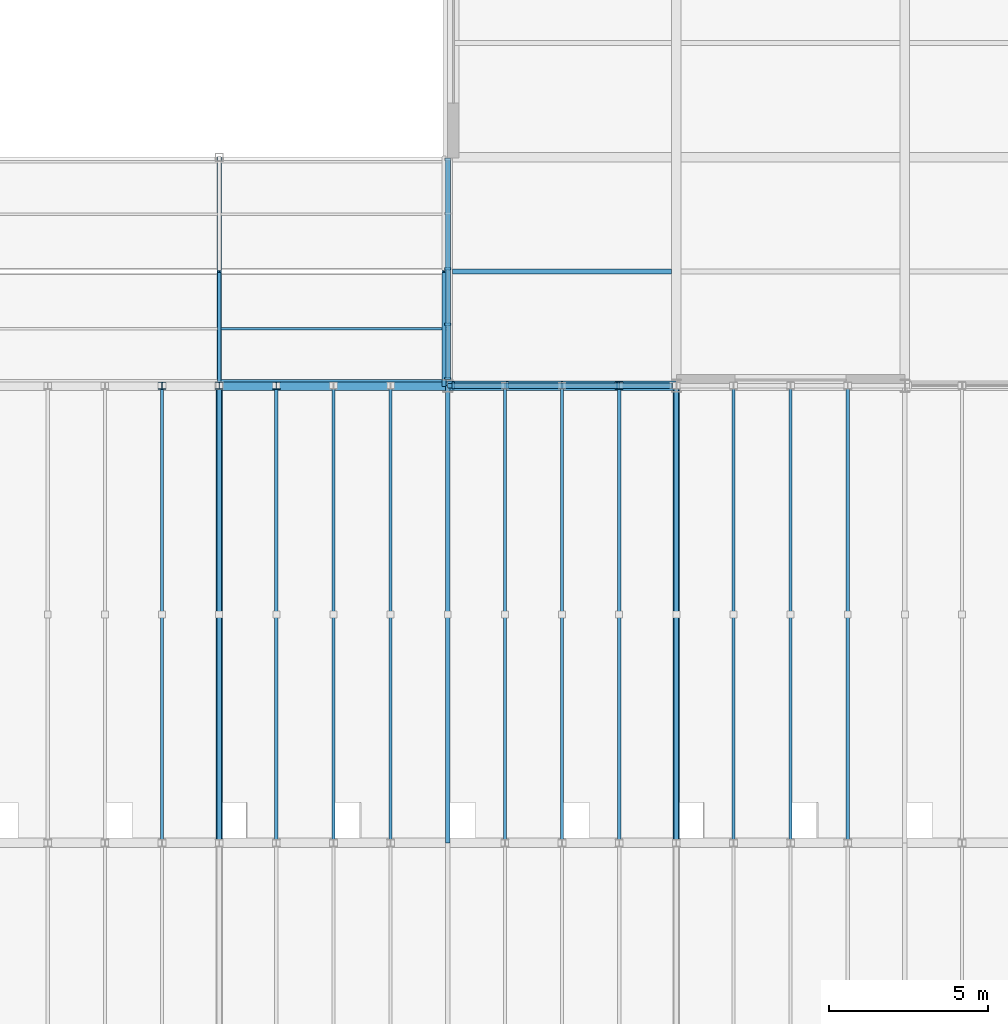
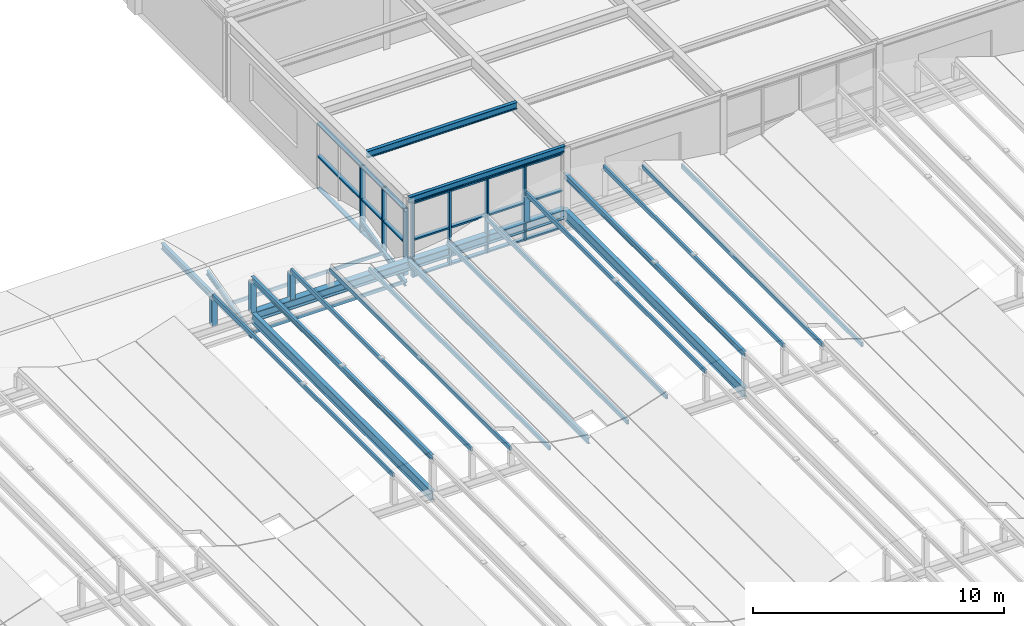
# One storey, part 33 of 83: 34 members, 6 beams, 2 elements without a shape of their own.
"""IFC4 building model written with IfcOpenShell, lengths in metres."""

import ifcopenshell
import ifcopenshell.guid

model = None  # the IFC model being written
_history = None  # IfcOwnerHistory: only IFC2X3 demands one
_inside = {}  # id of a spatial element -> (the spatial element, [elements in it])
_under = {}  # id of a project, library or spatial element -> (it, [spatial elements below it])
_declared = {}  # id of a project -> (the project, [libraries it declares])
_typed = {}  # id of a type object -> (the type object, [elements of that type])
_made_of = {}  # id of a material, layer set ... -> (it, [elements and type objects made of it])


def new_model(schema):
    """Start an empty IFC model of exactly this schema.

    Asked for "IFC4X3", IfcOpenShell would pick the latest addendum, in which some entities
    have other attributes; the version numbers below select the first issue.
    IFC2X3 requires an IfcOwnerHistory on every rooted entity: one is made here for all.
    """
    global model, _history
    if schema == "IFC4X3":
        model = ifcopenshell.file(schema_version=(4, 3, 0, 0))
    else:
        model = ifcopenshell.file(schema=schema)
    _inside.clear()
    _under.clear()
    _declared.clear()
    _typed.clear()
    _made_of.clear()
    _history = None
    if model.schema == "IFC2X3":
        org = make("IfcOrganization", Name="unknown")
        user = make(
            "IfcPersonAndOrganization",
            ThePerson=make("IfcPerson", FamilyName="unknown"),
            TheOrganization=org,
        )
        app = make(
            "IfcApplication",
            ApplicationDeveloper=org,
            Version="unknown",
            ApplicationFullName="unknown",
            ApplicationIdentifier="unknown",
        )
        _history = make(
            "IfcOwnerHistory",
            OwningUser=user,
            OwningApplication=app,
            ChangeAction="ADDED",
            CreationDate=0,
        )
    return model


def make(cls, **values):
    """One entity of the class cls with the attributes given. An attribute that is None is left unset."""
    return model.create_entity(
        cls, **{name: value for name, value in values.items() if value is not None}
    )


def rooted(cls, **values):
    """An entity with a GlobalId (a new one), such as an element, a storey or a relation."""
    return make(cls, GlobalId=ifcopenshell.guid.new(), OwnerHistory=_history, **values)


def si_unit(unit_type, name, prefix=None):
    """IfcSIUnit, for example si_unit("LENGTHUNIT", "METRE", prefix="MILLI")."""
    return make("IfcSIUnit", UnitType=unit_type, Prefix=prefix, Name=name)


def assignment(units):
    """IfcUnitAssignment: the units of a project."""
    return None if units is None else make("IfcUnitAssignment", Units=units)


def point(xyz):
    """IfcCartesianPoint."""
    return None if xyz is None else make("IfcCartesianPoint", Coordinates=xyz)


def direction(xyz):
    """IfcDirection."""
    return None if xyz is None else make("IfcDirection", DirectionRatios=xyz)


def frame(location, z_axis=None, x_axis=None):
    """IfcAxis2Placement3D, a coordinate frame: its origin and axes. An axis left out is left unset."""
    return make(
        "IfcAxis2Placement3D",
        Location=point(location),
        Axis=direction(z_axis),
        RefDirection=direction(x_axis),
    )


def frame_2d(location, x_axis=None):
    """IfcAxis2Placement2D, a coordinate frame in the plane: its origin and x axis."""
    return make(
        "IfcAxis2Placement2D", Location=point(location), RefDirection=direction(x_axis)
    )


def origin():
    """The frame at (0, 0, 0) with its axes left unset."""
    return frame((0.0, 0.0, 0.0))


def origin_2d():
    """The frame at (0, 0) in the plane with its x axis left unset."""
    return frame_2d((0.0, 0.0))


def place(relative_to, where):
    """IfcLocalPlacement: puts the frame where relative to a parent placement (None: the world)."""
    return make(
        "IfcLocalPlacement", PlacementRelTo=relative_to, RelativePlacement=where
    )


def context(
    kind, dimensions, precision=None, world=None, true_north=None, identifier=None
):
    """IfcGeometricRepresentationContext, for example the 3D "Model" context."""
    return make(
        "IfcGeometricRepresentationContext",
        ContextIdentifier=identifier,
        ContextType=kind,
        CoordinateSpaceDimension=dimensions,
        Precision=precision,
        WorldCoordinateSystem=world,
        TrueNorth=true_north,
    )


def subcontext(parent, identifier, kind, view, scale=None):
    """IfcGeometricRepresentationSubContext, for example "Body" below "Model"."""
    return make(
        "IfcGeometricRepresentationSubContext",
        ContextIdentifier=identifier,
        ContextType=kind,
        ParentContext=parent,
        TargetScale=scale,
        TargetView=view,
    )


def project(units=None, contexts=None):
    """IfcProject with its units and contexts."""
    return rooted(
        "IfcProject",
        Name="project",
        RepresentationContexts=contexts,
        UnitsInContext=assignment(units),
    )


def spatial(cls, under=None, at=None, **own):
    """A site, building, storey or space (cls), placed at a placement, below another one or the project."""
    s = rooted(cls, ObjectPlacement=at, **own)
    if under is not None:
        _under.setdefault(under.id(), (under, []))[1].append(s)
    return s


def profile(cls, at=None, kind="AREA", **sizes):
    """A parametric profile (cls). Its sizes go by their IFC names, for example OverallWidth=200.0."""
    return make(cls, ProfileType=kind, Position=at, **sizes)


def rectangle(**sizes):
    """IfcRectangleProfileDef."""
    return profile("IfcRectangleProfileDef", **sizes)


def hollow_rectangle(**sizes):
    """IfcRectangleHollowProfileDef."""
    return profile("IfcRectangleHollowProfileDef", **sizes)


def i_section(**sizes):
    """IfcIShapeProfileDef."""
    return profile("IfcIShapeProfileDef", **sizes)


def extrude(swept, where, along, depth):
    """IfcExtrudedAreaSolid: the profile swept, set in the frame where, extruded along a direction by depth."""
    return make(
        "IfcExtrudedAreaSolid",
        SweptArea=swept,
        Position=where,
        ExtrudedDirection=direction(along),
        Depth=depth,
    )


def shape(context_of_items, identifier, shape_type, items):
    """IfcShapeRepresentation: the items that make up one representation, for example the "Body"."""
    return make(
        "IfcShapeRepresentation",
        ContextOfItems=context_of_items,
        RepresentationIdentifier=identifier,
        RepresentationType=shape_type,
        Items=items,
    )


def material(Name=None, Category=None):
    """IfcMaterial."""
    return make("IfcMaterial", Name=Name, Category=Category)


def material_profile(
    of_material, cross_section, Name=None, Category=None, Priority=None
):
    """IfcMaterialProfile: a cross section and its material."""
    return make(
        "IfcMaterialProfile",
        Name=Name,
        Material=of_material,
        Profile=cross_section,
        Priority=Priority,
        Category=Category,
    )


def profile_set(profiles, Name=None, composite=None):
    """IfcMaterialProfileSet."""
    return make(
        "IfcMaterialProfileSet",
        Name=Name,
        MaterialProfiles=profiles,
        CompositeProfile=composite,
    )


def made_of(thing, what):
    """Note that an element or type object is made of a material, layer set ...; save() writes the relation."""
    if what is not None:
        _made_of.setdefault(what.id(), (what, []))[1].append(thing)
    return thing


def type_object(cls, material=None, **own):
    """A type object (cls), such as IfcWallType, which elements share."""
    return made_of(rooted(cls, **own), material)


def element(
    cls,
    number,
    at=None,
    inside=None,
    cuts=None,
    type_object=None,
    material=None,
    context=None,
    identifier="Body",
    shape_type=None,
    held_by="IfcProductDefinitionShape",
    body=None,
    shapes=None,
    **own,
):
    """One element of the class cls, such as IfcWall. Its Tag is "e" and its number.

    at: its placement. inside: the storey or other place that contains it. cuts: it is an
    opening in that element (IfcRelVoidsElement). A single representation is given by context,
    identifier, shape_type and body (its items); several are given by shapes. held_by: the class
    of the entity that holds the representations. save() writes the other relations.
    """
    e = rooted(cls, Tag="e%d" % number, ObjectPlacement=at, **own)
    if body is not None:
        shapes = [shape(context, identifier, shape_type, body)]
    if shapes is not None:
        e.Representation = make(held_by, Representations=shapes)
    if inside is not None:
        _inside.setdefault(inside.id(), (inside, []))[1].append(e)
    if cuts is not None:
        rooted(
            "IfcRelVoidsElement", RelatingBuildingElement=cuts, RelatedOpeningElement=e
        )
    if type_object is not None:
        _typed.setdefault(type_object.id(), (type_object, []))[1].append(e)
    return made_of(e, material)


def aggregate(whole, parts):
    """IfcRelAggregates: a whole, such as a stair, and the parts it consists of."""
    return rooted("IfcRelAggregates", RelatingObject=whole, RelatedObjects=parts)


def save(model, path):
    """Write the relations noted so far, then the file.

    IfcRelAggregates (storeys below a building ...), IfcRelContainedInSpatialStructure (elements
    in a storey), IfcRelDefinesByType, IfcRelAssociatesMaterial and IfcRelDeclares: one each for
    every whole, place, type object, material and project.
    """
    for whole, parts in _under.values():
        aggregate(whole, parts)
    for where, things in _inside.values():
        rooted(
            "IfcRelContainedInSpatialStructure",
            RelatedElements=things,
            RelatingStructure=where,
        )
    for kind, things in _typed.values():
        rooted("IfcRelDefinesByType", RelatedObjects=things, RelatingType=kind)
    for what, things in _made_of.values():
        rooted("IfcRelAssociatesMaterial", RelatedObjects=things, RelatingMaterial=what)
    for by, libraries in _declared.values():
        rooted("IfcRelDeclares", RelatingContext=by, RelatedDefinitions=libraries)
    model.write(path)


model = new_model("IFC4")

# Units and contexts
model_context = context("Model", 3, precision=1e-05, world=origin(), true_north=direction((0.0, 1.0)))
body_context = subcontext(model_context, "Body", "Model", "MODEL_VIEW")
ifc_project = project(units=[si_unit("LENGTHUNIT", "METRE"), si_unit("AREAUNIT", "SQUARE_METRE"), si_unit("VOLUMEUNIT", "CUBIC_METRE"), si_unit("PLANEANGLEUNIT", "RADIAN"), si_unit("MASSUNIT", "GRAM", prefix="KILO")], contexts=[model_context])

# Site, building, storey
site_placement = place(None, origin())
site = spatial("IfcSite", under=ifc_project, at=site_placement, CompositionType="ELEMENT")
building_placement = place(site_placement, origin())
building = spatial("IfcBuilding", under=site, at=building_placement, Name="Leyfeld Transit Interchange", CompositionType="ELEMENT")
storey_placement = place(building_placement, frame((0.0, 0.0, 5.39990234375)))
storey = spatial("IfcBuildingStorey", under=building, at=storey_placement, Name="L01", CompositionType="ELEMENT", Elevation=5.39990234375)

# Beams
ifc_material_1 = material(Name="Steel S355J2", Category="steel")
ifc_material_profile_1 = material_profile(ifc_material_1, i_section(OverallWidth=0.300048828125, OverallDepth=0.449951171875, WebThickness=0.013916015625, FlangeThickness=0.02587890625, FilletRadius=0.027099609375, at=origin_2d()), Name="HEB 450")
ifc_profile_set_1 = profile_set([ifc_material_profile_1], Name="Steel S355J2")
beam_type_1 = type_object("IfcBeamType", Name="BM-STL-HEB450", PredefinedType="JOIST", material=ifc_profile_set_1)
beam_1_placement = place(storey_placement, frame((129.60009765625, 43.199951171875, 0.675048828125), z_axis=(1.0, 0.0, 0.0), x_axis=(0.0, 1.0, 0.0)))
element("IfcBeam", 1, at=beam_1_placement, inside=storey, type_object=beam_type_1, Name="Bus Canopy Longitudinal Girder R4 B3", PredefinedType="JOIST", context=body_context, shape_type="SweptSolid", body=[
    extrude(i_section(OverallWidth=0.300048828125, OverallDepth=0.449951171875, WebThickness=0.013916015625, FlangeThickness=0.02587890625, FilletRadius=0.027099609375, at=origin_2d()), origin(), (0.0, 0.0, 1.0), 14.39990234375),
])
ifc_material_profile_2 = material_profile(ifc_material_1, i_section(OverallWidth=0.14990234375, OverallDepth=0.300048828125, WebThickness=0.007080078125, FlangeThickness=0.0107421875, FilletRadius=0.014892578125, at=origin_2d()), Name="IPE 300")
ifc_profile_set_2 = profile_set([ifc_material_profile_2], Name="Steel S355J2")
beam_type_2 = type_object("IfcBeamType", Name="BM-STL-IPE300", PredefinedType="SPANDREL", material=ifc_profile_set_2)
for number, where, z_axis, x_axis, name in (
    (2, (136.800048828125, 43.199951171875, 3.800048828125), (1.0, 0.0, 0.0), (0.0, 1.0, 0.0), "Beam BM-L01-1368_0432-1440_0432"),
    (3, (129.60009765625, 43.199951171875, -0.27001953125), (0.0, 1.0, 0.0), (-1.0, 0.0, 0.0), "Passage Gable Tie Beam 05"),
):
    element("IfcBeam", number, at=place(storey_placement, frame(where, z_axis=z_axis, x_axis=x_axis)), inside=storey, type_object=beam_type_2, Name=name, PredefinedType="SPANDREL", context=body_context, shape_type="SweptSolid", body=[
        extrude(i_section(OverallWidth=0.14990234375, OverallDepth=0.300048828125, WebThickness=0.007080078125, FlangeThickness=0.0107421875, FilletRadius=0.014892578125, at=origin_2d()), origin(), (0.0, 0.0, 1.0), 7.199951171875),
    ])
ifc_material_profile_3 = material_profile(ifc_material_1, i_section(OverallWidth=0.159912109375, OverallDepth=0.330078125, WebThickness=0.007568359375, FlangeThickness=0.011474609375, FilletRadius=0.01806640625, at=origin_2d()), Name="IPE 330")
ifc_profile_set_3 = profile_set([ifc_material_profile_3], Name="Steel S355J2")
beam_type_3 = type_object("IfcBeamType", Name="BM-STL-IPE330", PredefinedType="BEAM", material=ifc_profile_set_3)
beam_2_placement = place(storey_placement, frame((136.947021484375, 46.800048828125, 3.78515625), z_axis=(1.0, 0.0, 0.0), x_axis=(0.0, 1.0, 0.0)))
element("IfcBeam", 4, at=beam_2_placement, inside=storey, type_object=beam_type_3, Name="Beam BM-L01-1369_0468-1439_0468", PredefinedType="BEAM", context=body_context, shape_type="SweptSolid", body=[
    extrude(i_section(OverallWidth=0.159912109375, OverallDepth=0.330078125, WebThickness=0.007568359375, FlangeThickness=0.011474609375, FilletRadius=0.01806640625, at=origin_2d()), origin(), (0.0, 0.0, 1.0), 6.906005859375),
])
ifc_material_profile_4 = material_profile(ifc_material_1, i_section(OverallWidth=0.199951171875, OverallDepth=0.5, WebThickness=0.01025390625, FlangeThickness=0.01611328125, FilletRadius=0.02099609375, at=origin_2d()), Name="IPE 500")
ifc_profile_set_4 = profile_set([ifc_material_profile_4], Name="Steel S355J2")
beam_type_4 = type_object("IfcBeamType", Name="BM-STL-IPE500", PredefinedType="BEAM", material=ifc_profile_set_4)
for number, where, z_axis, x_axis, name in (
    (5, (129.60009765625, 28.800048828125, 0.650146484375), (0.0, 1.0, 0.0), (-1.0, 0.0, 0.0), "Bus Canopy Transverse Portal Girder B3 R3"),
    (6, (144.0, 28.800048828125, 0.650146484375), (0.0, 1.0, 0.0), (-1.0, 0.0, 0.0), "Bus Canopy Transverse Portal Girder B4 R3"),
):
    element("IfcBeam", number, at=place(storey_placement, frame(where, z_axis=z_axis, x_axis=x_axis)), inside=storey, type_object=beam_type_4, Name=name, PredefinedType="BEAM", context=body_context, shape_type="SweptSolid", body=[
        extrude(i_section(OverallWidth=0.199951171875, OverallDepth=0.5, WebThickness=0.01025390625, FlangeThickness=0.01611328125, FilletRadius=0.02099609375, at=origin_2d()), origin(), (0.0, 0.0, 1.0), 14.39990234375),
    ])

# Curtain wall, members
ifc_material_2 = material(Name="Anodised aluminium EN AW-6060 T66", Category="aluminium")
curtain_wall_type_1 = type_object("IfcCurtainWallType", Name="CW-SYS-BUS-7200", PredefinedType="NOTDEFINED", material=ifc_material_2)
curtain_wall_1_placement = place(storey_placement, origin())
curtain_wall_1 = element("IfcCurtainWall", 7, at=curtain_wall_1_placement, inside=storey, type_object=curtain_wall_type_1, Name="Curtain Wall CW-L01-099", PredefinedType="NOTDEFINED")
ifc_material_profile_5 = material_profile(ifc_material_2, rectangle(XDim=0.074951171875, YDim=0.219970703125, at=origin_2d()), Name="CW-M 75x220")
ifc_profile_set_5 = profile_set([ifc_material_profile_5], Name="Anodised aluminium EN AW-6060 T66")
member_type_1 = type_object("IfcMemberType", Name="CW-MUL-180x70", PredefinedType="MULLION", material=ifc_profile_set_5)
member_1_placement = place(storey_placement, frame((142.1298828125, 43.199951171875, 0.0), z_axis=(0.0, 0.0, 1.0), x_axis=(-1.0, 0.0, 0.0)))
member_1 = element("IfcMember", 8, at=member_1_placement, type_object=member_type_1, Name="Curtain Mullion CW-L01-099-M02", PredefinedType="MULLION", context=body_context, shape_type="SweptSolid", body=[
    extrude(rectangle(XDim=0.074951171875, YDim=0.219970703125, at=origin_2d()), origin(), (0.0, 0.0, 1.0), 3.650146484375),
])
member_2_placement = place(storey_placement, frame((140.39990234375, 43.199951171875, 0.0), z_axis=(0.0, 0.0, 1.0), x_axis=(-1.0, 0.0, 0.0)))
member_2 = element("IfcMember", 9, at=member_2_placement, type_object=member_type_1, Name="Curtain Mullion CW-L01-099-M03", PredefinedType="MULLION", context=body_context, shape_type="SweptSolid", body=[
    extrude(rectangle(XDim=0.074951171875, YDim=0.219970703125, at=origin_2d()), origin(), (0.0, 0.0, 1.0), 3.650146484375),
])
member_3_placement = place(storey_placement, frame((138.669921875, 43.199951171875, 0.0), z_axis=(0.0, 0.0, 1.0), x_axis=(-1.0, 0.0, 0.0)))
member_3 = element("IfcMember", 10, at=member_3_placement, type_object=member_type_1, Name="Curtain Mullion CW-L01-099-M04", PredefinedType="MULLION", context=body_context, shape_type="SweptSolid", body=[
    extrude(rectangle(XDim=0.074951171875, YDim=0.219970703125, at=origin_2d()), origin(), (0.0, 0.0, 1.0), 3.650146484375),
])
member_4_placement = place(storey_placement, frame((136.9775390625, 43.199951171875, 0.0), z_axis=(0.0, 0.0, 1.0), x_axis=(-1.0, 0.0, 0.0)))
member_4 = element("IfcMember", 11, at=member_4_placement, type_object=member_type_1, Name="Curtain Mullion CW-L01-099-M05", PredefinedType="MULLION", context=body_context, shape_type="SweptSolid", body=[
    extrude(rectangle(XDim=0.074951171875, YDim=0.219970703125, at=origin_2d()), origin(), (0.0, 0.0, 1.0), 3.650146484375),
])

curtain_wall_type_2 = type_object("IfcCurtainWallType", Name="CW-SYS-PAS-7200", PredefinedType="NOTDEFINED", material=ifc_material_2)
curtain_wall_2_placement = place(storey_placement, origin())
curtain_wall_2 = element("IfcCurtainWall", 12, at=curtain_wall_2_placement, inside=storey, type_object=curtain_wall_type_2, Name="Curtain Wall CW-L01-100", PredefinedType="NOTDEFINED")
member_5_placement = place(storey_placement, frame((136.800048828125, 43.427490234375, 0.0), z_axis=(0.0, 0.0, 1.0), x_axis=(0.0, 1.0, 0.0)))
member_5 = element("IfcMember", 13, at=member_5_placement, type_object=member_type_1, Name="Curtain Mullion CW-L01-100-M01", PredefinedType="MULLION", context=body_context, shape_type="SweptSolid", body=[
    extrude(rectangle(XDim=0.074951171875, YDim=0.219970703125, at=origin_2d()), origin(), (0.0, 0.0, 1.0), 3.25),
])
member_6_placement = place(storey_placement, frame((136.800048828125, 45.135009765625, 0.0), z_axis=(0.0, 0.0, 1.0), x_axis=(0.0, 1.0, 0.0)))
member_6 = element("IfcMember", 14, at=member_6_placement, type_object=member_type_1, Name="Curtain Mullion CW-L01-100-M02", PredefinedType="MULLION", context=body_context, shape_type="SweptSolid", body=[
    extrude(rectangle(XDim=0.074951171875, YDim=0.219970703125, at=origin_2d()), origin(), (0.0, 0.0, 1.0), 3.25),
])
member_7_placement = place(storey_placement, frame((136.800048828125, 46.8798828125, 0.0), z_axis=(0.0, 0.0, 1.0), x_axis=(0.0, 1.0, 0.0)))
member_7 = element("IfcMember", 15, at=member_7_placement, type_object=member_type_1, Name="Curtain Mullion CW-L01-100-M03", PredefinedType="MULLION", context=body_context, shape_type="SweptSolid", body=[
    extrude(rectangle(XDim=0.074951171875, YDim=0.219970703125, at=origin_2d()), origin(), (0.0, 0.0, 1.0), 3.25),
])

# Member
ifc_material_profile_6 = material_profile(ifc_material_2, rectangle(XDim=0.179931640625, YDim=0.074951171875, at=origin_2d()), Name="CW-TRN-160x70")
ifc_profile_set_6 = profile_set([ifc_material_profile_6], Name="Anodised aluminium EN AW-6060 T66")
member_type_2 = type_object("IfcMemberType", Name="CW-TRN-160x70", PredefinedType="USERDEFINED", material=ifc_profile_set_6)
member_8_placement = place(storey_placement, frame((143.860107421875, 43.199951171875, 0.03759765625), z_axis=(-1.0, 0.0, 0.0), x_axis=(0.0, -1.0, 0.0)))
member_8 = element("IfcMember", 16, at=member_8_placement, type_object=member_type_2, Name="Curtain Transom CW-L01-099-T01", ObjectType="TRANSOM", PredefinedType="USERDEFINED", context=body_context, shape_type="SweptSolid", body=[
    extrude(rectangle(XDim=0.179931640625, YDim=0.074951171875, at=origin_2d()), origin(), (0.0, 0.0, 1.0), 6.920166015625),
])

member_9_placement = place(storey_placement, frame((143.860107421875, 43.199951171875, 1.8251953125), z_axis=(-1.0, 0.0, 0.0), x_axis=(0.0, -1.0, 0.0)))
member_9 = element("IfcMember", 17, at=member_9_placement, type_object=member_type_2, Name="Curtain Transom CW-L01-099-T02", ObjectType="TRANSOM", PredefinedType="USERDEFINED", context=body_context, shape_type="SweptSolid", body=[
    extrude(rectangle(XDim=0.179931640625, YDim=0.074951171875, at=origin_2d()), origin(), (0.0, 0.0, 1.0), 6.920166015625),
])

member_10_placement = place(storey_placement, frame((143.860107421875, 43.199951171875, 3.612548828125), z_axis=(-1.0, 0.0, 0.0), x_axis=(0.0, -1.0, 0.0)))
member_10 = element("IfcMember", 18, at=member_10_placement, type_object=member_type_2, Name="Curtain Transom CW-L01-099-T03", ObjectType="TRANSOM", PredefinedType="USERDEFINED", context=body_context, shape_type="SweptSolid", body=[
    extrude(rectangle(XDim=0.179931640625, YDim=0.074951171875, at=origin_2d()), origin(), (0.0, 0.0, 1.0), 6.920166015625),
])

aggregate(curtain_wall_1, [member_1, member_2, member_3, member_4, member_8, member_9, member_10])

member_11_placement = place(storey_placement, frame((136.800048828125, 43.389892578125, 0.03759765625), z_axis=(0.0, 1.0, 0.0), x_axis=(-1.0, 0.0, 0.0)))
member_11 = element("IfcMember", 19, at=member_11_placement, type_object=member_type_2, Name="Curtain Transom CW-L01-100-T01", ObjectType="TRANSOM", PredefinedType="USERDEFINED", context=body_context, shape_type="SweptSolid", body=[
    extrude(rectangle(XDim=0.179931640625, YDim=0.074951171875, at=origin_2d()), origin(), (0.0, 0.0, 1.0), 6.980224609375),
])

member_12_placement = place(storey_placement, frame((136.800048828125, 43.389892578125, 1.625), z_axis=(0.0, 1.0, 0.0), x_axis=(-1.0, 0.0, 0.0)))
member_12 = element("IfcMember", 20, at=member_12_placement, type_object=member_type_2, Name="Curtain Transom CW-L01-100-T02", ObjectType="TRANSOM", PredefinedType="USERDEFINED", context=body_context, shape_type="SweptSolid", body=[
    extrude(rectangle(XDim=0.179931640625, YDim=0.074951171875, at=origin_2d()), origin(), (0.0, 0.0, 1.0), 6.980224609375),
])

member_13_placement = place(storey_placement, frame((136.800048828125, 43.389892578125, 3.212646484375), z_axis=(0.0, 1.0, 0.0), x_axis=(-1.0, 0.0, 0.0)))
member_13 = element("IfcMember", 21, at=member_13_placement, type_object=member_type_2, Name="Curtain Transom CW-L01-100-T03", ObjectType="TRANSOM", PredefinedType="USERDEFINED", context=body_context, shape_type="SweptSolid", body=[
    extrude(rectangle(XDim=0.179931640625, YDim=0.074951171875, at=origin_2d()), origin(), (0.0, 0.0, 1.0), 6.980224609375),
])

aggregate(curtain_wall_2, [member_5, member_6, member_7, member_11, member_12, member_13])

# Members
ifc_material_profile_7 = material_profile(ifc_material_1, i_section(OverallWidth=0.239990234375, OverallDepth=0.22998046875, WebThickness=0.007568359375, FlangeThickness=0.011962890625, FilletRadius=0.02099609375, at=origin_2d()), Name="HEA 240")
ifc_profile_set_7 = profile_set([ifc_material_profile_7], Name="Steel S355J2")
member_type_3 = type_object("IfcMemberType", Name="MEM-CHD-HEA240", PredefinedType="CHORD", material=ifc_profile_set_7)
member_14_placement = place(storey_placement, frame((127.800048828125, 43.199951171875, 0.860107421875), z_axis=(0.0, 0.0, 1.0), x_axis=(1.0, 0.0, 0.0)))
element("IfcMember", 22, at=member_14_placement, inside=storey, type_object=member_type_3, Name="Wave Canopy Riser Post 104", PredefinedType="CHORD", context=body_context, shape_type="SweptSolid", body=[
    extrude(i_section(OverallWidth=0.239990234375, OverallDepth=0.22998046875, WebThickness=0.007568359375, FlangeThickness=0.011962890625, FilletRadius=0.02099609375, at=origin_2d()), origin(), (0.0, 0.0, 1.0), 1.2998046875),
])
member_15_placement = place(storey_placement, frame((129.60009765625, 43.199951171875, 0.860107421875), z_axis=(0.0, 0.0, 1.0), x_axis=(1.0, 0.0, 0.0)))
element("IfcMember", 23, at=member_15_placement, inside=storey, type_object=member_type_3, Name="Wave Canopy Riser Post 111", PredefinedType="CHORD", context=body_context, shape_type="SweptSolid", body=[
    extrude(i_section(OverallWidth=0.239990234375, OverallDepth=0.22998046875, WebThickness=0.007568359375, FlangeThickness=0.011962890625, FilletRadius=0.02099609375, at=origin_2d()), origin(), (0.0, 0.0, 1.0), 1.488037109375),
])
for number, where, z_axis, x_axis, name in (
    (24, (131.39990234375, 43.199951171875, 0.860107421875), (0.0, 0.0, 1.0), (1.0, 0.0, 0.0), "Wave Canopy Riser Post 118"),
    (25, (142.199951171875, 43.199951171875, 0.860107421875), (0.0, 0.0, 1.0), (1.0, 0.0, 0.0), "Wave Canopy Riser Post 156"),
):
    element("IfcMember", number, at=place(storey_placement, frame(where, z_axis=z_axis, x_axis=x_axis)), inside=storey, type_object=member_type_3, Name=name, PredefinedType="CHORD", context=body_context, shape_type="SweptSolid", body=[
        extrude(i_section(OverallWidth=0.239990234375, OverallDepth=0.22998046875, WebThickness=0.007568359375, FlangeThickness=0.011962890625, FilletRadius=0.02099609375, at=origin_2d()), origin(), (0.0, 0.0, 1.0), 1.2998046875),
    ])
ifc_material_profile_8 = material_profile(ifc_material_1, i_section(OverallWidth=0.1201171875, OverallDepth=0.239990234375, WebThickness=0.006103515625, FlangeThickness=0.009765625, FilletRadius=0.014892578125, at=origin_2d()), Name="IPE 240")
ifc_profile_set_8 = profile_set([ifc_material_profile_8], Name="Steel S355J2")
member_type_4 = type_object("IfcMemberType", Name="MEM-PUR-IPE240", PredefinedType="PURLIN", material=ifc_profile_set_8)
for number, where, z_axis, x_axis, name in (
    (26, (129.60009765625, 43.199951171875, -0.27001953125), (0.0, 0.970134759688, 0.242566584767), (-1.0, 0.0, 0.0), "Passage Gable Rafter S 05"),
    (27, (136.679931640625, 43.199951171875, -0.27001953125), (0.0, 0.970134759688, 0.242566584767), (-1.0, 0.0, 0.0), "Passage Gable Rafter S 06"),
):
    element("IfcMember", number, at=place(storey_placement, frame(where, z_axis=z_axis, x_axis=x_axis)), inside=storey, type_object=member_type_4, Name=name, PredefinedType="PURLIN", context=body_context, shape_type="SweptSolid", body=[
        extrude(i_section(OverallWidth=0.1201171875, OverallDepth=0.239990234375, WebThickness=0.006103515625, FlangeThickness=0.009765625, FilletRadius=0.014892578125, at=origin_2d()), origin(), (0.0, 0.0, 1.0), 3.7109375),
    ])
ifc_material_profile_9 = material_profile(ifc_material_1, i_section(OverallWidth=0.135009765625, OverallDepth=0.27001953125, WebThickness=0.006591796875, FlangeThickness=0.01025390625, FilletRadius=0.014892578125, at=origin_2d()), Name="IPE 270")
ifc_profile_set_9 = profile_set([ifc_material_profile_9], Name="Steel S355J2")
member_type_5 = type_object("IfcMemberType", Name="MEM-PUR-IPE270", PredefinedType="PURLIN", material=ifc_profile_set_9)
for number, where, z_axis, x_axis, name in (
    (28, (129.60009765625, 28.800048828125, 2.483154296875), (0.0, 1.0, 0.0), (-1.0, 0.0, 0.0), "Bus Canopy Purlin 109"),
    (29, (136.800048828125, 28.800048828125, 0.777587890625), (0.0, 1.0, 0.0), (-1.0, 0.0, 0.0), "Bus Canopy Purlin 135"),
    (30, (144.0, 28.800048828125, 2.483154296875), (0.0, 1.0, 0.0), (-1.0, 0.0, 0.0), "Bus Canopy Purlin 161"),
):
    element("IfcMember", number, at=place(storey_placement, frame(where, z_axis=z_axis, x_axis=x_axis)), inside=storey, type_object=member_type_5, Name=name, PredefinedType="PURLIN", context=body_context, shape_type="SweptSolid", body=[
        extrude(i_section(OverallWidth=0.135009765625, OverallDepth=0.27001953125, WebThickness=0.006591796875, FlangeThickness=0.01025390625, FilletRadius=0.014892578125, at=origin_2d()), origin(), (0.0, 0.0, 1.0), 14.39990234375),
    ])
ifc_material_profile_10 = material_profile(ifc_material_1, hollow_rectangle(XDim=0.080078125, YDim=0.159912109375, WallThickness=0.008056640625, at=origin_2d()), Name="RHS 160x80x8")
ifc_profile_set_10 = profile_set([ifc_material_profile_10], Name="Steel S355J2")
member_type_6 = type_object("IfcMemberType", Name="MEM-PUR-RHS160", PredefinedType="PURLIN", material=ifc_profile_set_10)
for number, where, z_axis, x_axis, name in (
    (31, (129.60009765625, 43.35009765625, -0.239990234375), (1.0, 0.0, 0.0), (0.0, 1.0, 0.0), "Passage Roof Purlin ES 05"),
    (32, (129.60009765625, 45.0, 0.170166015625), (1.0, 0.0, 0.0), (0.0, 1.0, 0.0), "Passage Roof Purlin MS 05"),
):
    element("IfcMember", number, at=place(storey_placement, frame(where, z_axis=z_axis, x_axis=x_axis)), inside=storey, type_object=member_type_6, Name=name, PredefinedType="PURLIN", context=body_context, shape_type="SweptSolid", body=[
        extrude(hollow_rectangle(XDim=0.080078125, YDim=0.159912109375, WallThickness=0.008056640625, at=origin_2d()), origin(), (0.0, 0.0, 1.0), 7.199951171875),
    ])
ifc_material_profile_11 = material_profile(ifc_material_1, hollow_rectangle(XDim=0.10009765625, YDim=0.199951171875, WallThickness=0.008056640625, at=origin_2d()), Name="RHS 200x100x8")
ifc_profile_set_11 = profile_set([ifc_material_profile_11], Name="Steel S355J2")
member_type_7 = type_object("IfcMemberType", Name="MEM-PUR-RHS200", PredefinedType="PURLIN", material=ifc_profile_set_11)
for number, where, z_axis, x_axis, name in (
    (33, (127.800048828125, 28.800048828125, 2.259765625), (0.0, 1.0, 0.0), (-1.0, 0.0, 0.0), "Bus Canopy Purlin 102"),
    (34, (131.39990234375, 28.800048828125, 2.259765625), (0.0, 1.0, 0.0), (-1.0, 0.0, 0.0), "Bus Canopy Purlin 116"),
    (35, (133.199951171875, 28.800048828125, 1.656494140625), (0.0, 1.0, 0.0), (-1.0, 0.0, 0.0), "Bus Canopy Purlin 123"),
    (36, (135.0, 28.800048828125, 1.0546875), (0.0, 1.0, 0.0), (-1.0, 0.0, 0.0), "Bus Canopy Purlin 130"),
    (37, (138.60009765625, 28.800048828125, 1.0546875), (0.0, 1.0, 0.0), (-1.0, 0.0, 0.0), "Bus Canopy Purlin 140"),
    (38, (140.39990234375, 28.800048828125, 1.656494140625), (0.0, 1.0, 0.0), (-1.0, 0.0, 0.0), "Bus Canopy Purlin 147"),
    (39, (142.199951171875, 28.800048828125, 2.259765625), (0.0, 1.0, 0.0), (-1.0, 0.0, 0.0), "Bus Canopy Purlin 154"),
    (40, (145.800048828125, 28.800048828125, 2.259765625), (0.0, 1.0, 0.0), (-1.0, 0.0, 0.0), "Bus Canopy Purlin 168"),
    (41, (147.60009765625, 28.800048828125, 1.656494140625), (0.0, 1.0, 0.0), (-1.0, 0.0, 0.0), "Bus Canopy Purlin 175"),
    (42, (149.39990234375, 28.800048828125, 1.0546875), (0.0, 1.0, 0.0), (-1.0, 0.0, 0.0), "Bus Canopy Purlin 182"),
):
    element("IfcMember", number, at=place(storey_placement, frame(where, z_axis=z_axis, x_axis=x_axis)), inside=storey, type_object=member_type_7, Name=name, PredefinedType="PURLIN", context=body_context, shape_type="SweptSolid", body=[
        extrude(hollow_rectangle(XDim=0.10009765625, YDim=0.199951171875, WallThickness=0.008056640625, at=origin_2d()), origin(), (0.0, 0.0, 1.0), 14.39990234375),
    ])

save(model, "model.ifc")
